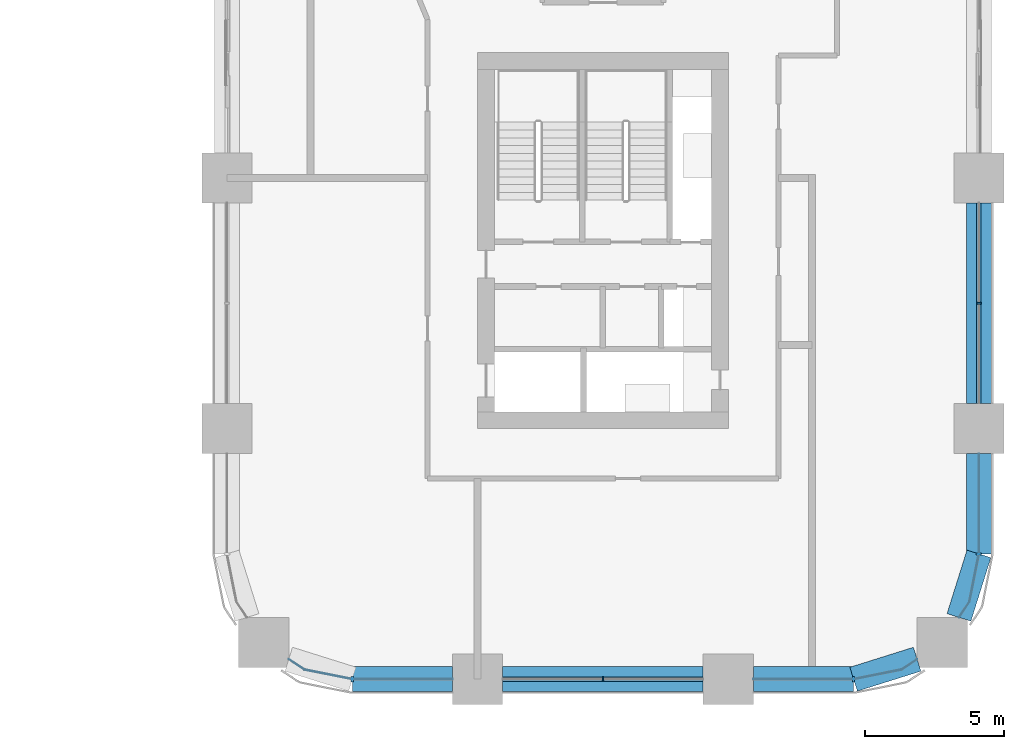
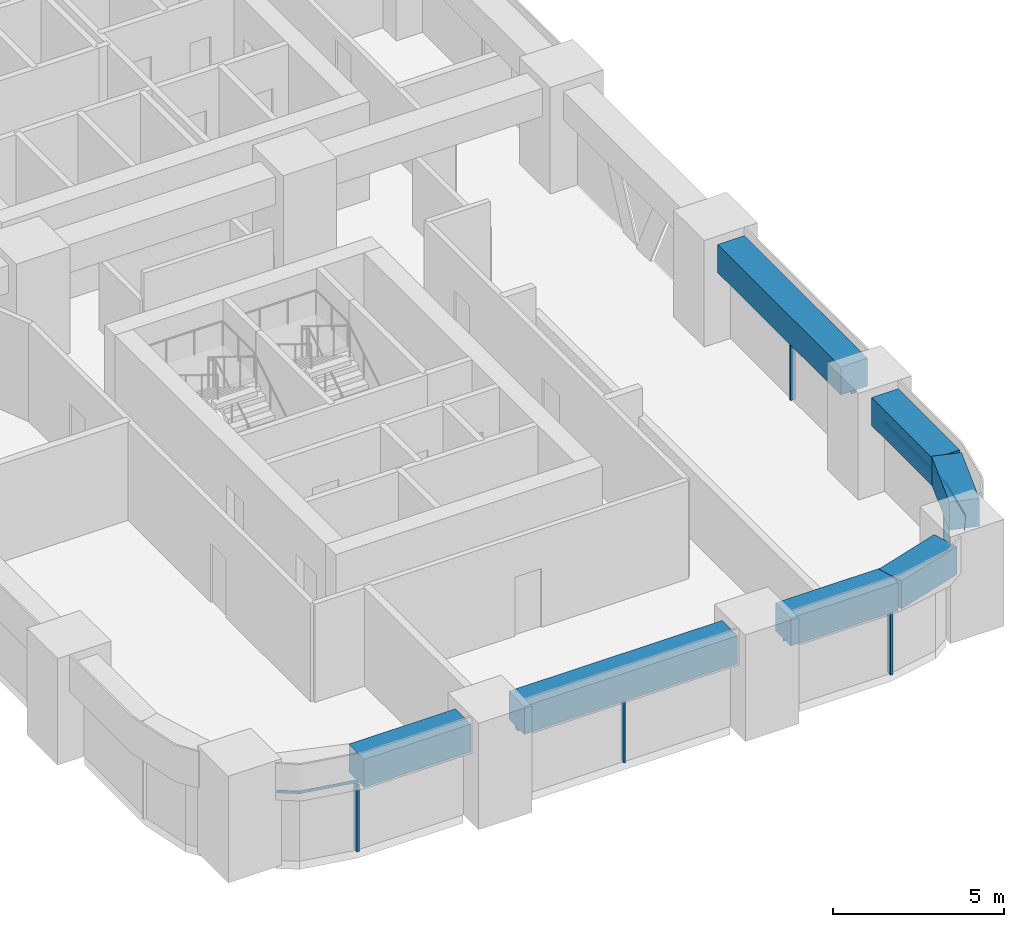
# One storey, part 4 of 18: 10 members, 7 beams, 5 elements without a shape of their own.
"""IFC4 building model written with IfcOpenShell, lengths in metres."""

from ifc_helpers import new_model, si_unit, direction, frame, origin, origin_2d, place, context, subcontext, project, spatial, polyline, rectangle, outline, extrude, material, material_profile, profile_set, type_object, element, aggregate, save


model = new_model("IFC4")

# Units and contexts
model_context = context("Model", 3, precision=1e-05, world=origin(), true_north=direction((0.0, 1.0)))
body_context = subcontext(model_context, "Body", "Model", "MODEL_VIEW")
ifc_project = project(units=[si_unit("LENGTHUNIT", "METRE"), si_unit("AREAUNIT", "SQUARE_METRE"), si_unit("VOLUMEUNIT", "CUBIC_METRE"), si_unit("PLANEANGLEUNIT", "RADIAN"), si_unit("MASSUNIT", "GRAM", prefix="KILO")], contexts=[model_context])

# Site, building, storey
site_placement = place(None, origin())
site = spatial("IfcSite", under=ifc_project, at=site_placement, CompositionType="ELEMENT")
building_placement = place(site_placement, origin())
building = spatial("IfcBuilding", under=site, at=building_placement, Name="Tessera Arch", CompositionType="ELEMENT")
storey_placement = place(building_placement, frame((0.0, 0.0, 115.800048828125)))
storey = spatial("IfcBuildingStorey", under=building, at=storey_placement, Name="L27", CompositionType="ELEMENT", Elevation=115.800048828125)

# Curtain wall, member
ifc_material_1 = material(Name="CW1 curtain wall")
curtain_wall_type_1 = type_object("IfcCurtainWallType", Name="CW1 curtain wall", PredefinedType="NOTDEFINED", material=ifc_material_1)
curtain_wall_1_placement = place(storey_placement, origin())
curtain_wall_1 = element("IfcCurtainWall", 1, at=curtain_wall_1_placement, inside=storey, type_object=curtain_wall_type_1, Name="CW1 curtain wall S0.27/1 L27", PredefinedType="NOTDEFINED")
ifc_material_2 = material(Name="Anodised aluminium pale metal", Category="aluminium")
ifc_material_profile_1 = material_profile(ifc_material_2, rectangle(XDim=0.159912109375, YDim=0.06005859375, at=origin_2d()), Name="AL 60x160")
ifc_profile_set_1 = profile_set([ifc_material_profile_1], Name="Anodised aluminium pale metal")
member_type_1 = type_object("IfcMemberType", Name="CW1 mullion", PredefinedType="MULLION", material=ifc_profile_set_1)
member_1_placement = place(storey_placement, frame((40.5, 0.0, 0.0), z_axis=(0.0, 0.0, 1.0), x_axis=(0.0, 1.0, 0.0)))
member_1 = element("IfcMember", 2, at=member_1_placement, type_object=member_type_1, Name="CW1 mullion S0.27/1 1", PredefinedType="MULLION", context=body_context, shape_type="SweptSolid", body=[
    extrude(rectangle(XDim=0.159912109375, YDim=0.06005859375, at=origin_2d()), origin(), (0.0, 0.0, 1.0), 2.39990234375),
])

curtain_wall_2_placement = place(storey_placement, origin())
curtain_wall_2 = element("IfcCurtainWall", 3, at=curtain_wall_2_placement, inside=storey, type_object=curtain_wall_type_1, Name="CW1 curtain wall E54.0/1 L27", PredefinedType="NOTDEFINED")
member_2_placement = place(storey_placement, frame((54.0, 13.5, 0.0), z_axis=(0.0, 0.0, 1.0), x_axis=(-1.0, 0.0, 0.0)))
member_2 = element("IfcMember", 4, at=member_2_placement, type_object=member_type_1, Name="CW1 mullion E54.0/1 1", PredefinedType="MULLION", context=body_context, shape_type="SweptSolid", body=[
    extrude(rectangle(XDim=0.159912109375, YDim=0.06005859375, at=origin_2d()), origin(), (0.0, 0.0, 1.0), 2.39990234375),
])

# Member
ifc_material_3 = material(Name="Anodised aluminium pale metal", Category="aluminium")
ifc_material_profile_2 = material_profile(ifc_material_3, rectangle(XDim=0.159912109375, YDim=0.10009765625, at=origin_2d()), Name="AL 160x100")
ifc_profile_set_2 = profile_set([ifc_material_profile_2], Name="Anodised aluminium pale metal")
member_type_2 = type_object("IfcMemberType", Name="CW1 transom", PredefinedType="USERDEFINED", material=ifc_profile_set_2)
member_3_placement = place(storey_placement, frame((36.89990234375, 0.0, 2.449951171875), z_axis=(1.0, 0.0, 0.0), x_axis=(0.0, 1.0, 0.0)))
member_3 = element("IfcMember", 5, at=member_3_placement, type_object=member_type_2, Name="CW1 transom S0.27/1 1.1", ObjectType="TRANSOM", PredefinedType="USERDEFINED", context=body_context, shape_type="SweptSolid", body=[
    extrude(rectangle(XDim=0.159912109375, YDim=0.10009765625, at=origin_2d()), origin(), (0.0, 0.0, 1.0), 7.2001953125),
])

aggregate(curtain_wall_1, [member_1, member_3])

member_4_placement = place(storey_placement, frame((54.0, 9.89990234375, 2.449951171875), z_axis=(0.0, 1.0, 0.0), x_axis=(-1.0, 0.0, 0.0)))
member_4 = element("IfcMember", 6, at=member_4_placement, type_object=member_type_2, Name="CW1 transom E54.0/1 1.1", ObjectType="TRANSOM", PredefinedType="USERDEFINED", context=body_context, shape_type="SweptSolid", body=[
    extrude(rectangle(XDim=0.159912109375, YDim=0.10009765625, at=origin_2d()), origin(), (0.0, 0.0, 1.0), 7.2001953125),
])

aggregate(curtain_wall_2, [member_2, member_4])

# Curtain wall, member
ifc_material_4 = material(Name="CW2 curtain wall")
curtain_wall_type_2 = type_object("IfcCurtainWallType", Name="CW2 curtain wall", PredefinedType="NOTDEFINED", material=ifc_material_4)
curtain_wall_3_placement = place(storey_placement, origin())
curtain_wall_3 = element("IfcCurtainWall", 7, at=curtain_wall_3_placement, inside=storey, type_object=curtain_wall_type_2, Name="CW2 curtain wall S0.27/0 L27", PredefinedType="NOTDEFINED")
ifc_material_5 = material(Name="Anodised aluminium pale metal", Category="aluminium")
ifc_material_profile_3 = material_profile(ifc_material_5, rectangle(XDim=0.199951171875, YDim=0.080078125, at=origin_2d()), Name="AL 80x200")
ifc_profile_set_3 = profile_set([ifc_material_profile_3], Name="Anodised aluminium pale metal")
member_type_3 = type_object("IfcMemberType", Name="CW2 mullion", PredefinedType="MULLION", material=ifc_profile_set_3)
member_5_placement = place(storey_placement, frame((31.5, 0.0, 0.0), z_axis=(0.0, 0.0, 1.0), x_axis=(0.0, 1.0, 0.0)))
member_5 = element("IfcMember", 8, at=member_5_placement, type_object=member_type_3, Name="CW2 mullion S0.27/0 1", PredefinedType="MULLION", context=body_context, shape_type="SweptSolid", body=[
    extrude(rectangle(XDim=0.199951171875, YDim=0.080078125, at=origin_2d()), origin(), (0.0, 0.0, 1.0), 2.39990234375),
])

curtain_wall_4_placement = place(storey_placement, origin())
curtain_wall_4 = element("IfcCurtainWall", 9, at=curtain_wall_4_placement, inside=storey, type_object=curtain_wall_type_2, Name="CW2 curtain wall S0.27/2 L27", PredefinedType="NOTDEFINED")
member_6_placement = place(storey_placement, frame((49.5, 0.0, 0.0), z_axis=(0.0, 0.0, 1.0), x_axis=(0.0, 1.0, 0.0)))
member_6 = element("IfcMember", 10, at=member_6_placement, type_object=member_type_3, Name="CW2 mullion S0.27/2 1", PredefinedType="MULLION", context=body_context, shape_type="SweptSolid", body=[
    extrude(rectangle(XDim=0.199951171875, YDim=0.080078125, at=origin_2d()), origin(), (0.0, 0.0, 1.0), 2.39990234375),
])

curtain_wall_5_placement = place(storey_placement, origin())
curtain_wall_5 = element("IfcCurtainWall", 11, at=curtain_wall_5_placement, inside=storey, type_object=curtain_wall_type_2, Name="CW2 curtain wall E54.0/0 L27", PredefinedType="NOTDEFINED")
member_7_placement = place(storey_placement, frame((54.0, 4.5, 0.0), z_axis=(0.0, 0.0, 1.0), x_axis=(-1.0, 0.0, 0.0)))
member_7 = element("IfcMember", 12, at=member_7_placement, type_object=member_type_3, Name="CW2 mullion E54.0/0 1", PredefinedType="MULLION", context=body_context, shape_type="SweptSolid", body=[
    extrude(rectangle(XDim=0.199951171875, YDim=0.080078125, at=origin_2d()), origin(), (0.0, 0.0, 1.0), 2.39990234375),
])

# Member
ifc_material_6 = material(Name="Anodised aluminium pale metal", Category="aluminium")
ifc_material_profile_4 = material_profile(ifc_material_6, rectangle(XDim=0.199951171875, YDim=0.10009765625, at=origin_2d()), Name="AL 200x100")
ifc_profile_set_4 = profile_set([ifc_material_profile_4], Name="Anodised aluminium pale metal")
member_type_4 = type_object("IfcMemberType", Name="CW2 transom", PredefinedType="USERDEFINED", material=ifc_profile_set_4)
member_8_placement = place(storey_placement, frame((0.0, 0.0, 2.39990234375)))
member_8 = element("IfcMember", 13, at=member_8_placement, type_object=member_type_4, Name="CW2 transom S0.27/0 1", ObjectType="TRANSOM", PredefinedType="USERDEFINED", context=body_context, shape_type="SweptSolid", body=[
    extrude(outline(polyline([(29.78173828125, 0.351806640625), (29.2236328125, 0.72509765625), (29.21240234375, 0.70849609375), (29.77392578125, 0.3330078125), (31.4990234375, -0.010009765625), (35.10009765625, -0.010009765625), (35.10009765625, 0.010009765625), (31.5009765625, 0.010009765625), (29.78173828125, 0.351806640625)])), origin(), (0.0, 0.0, 1.0), 0.10009765625),
])

aggregate(curtain_wall_3, [member_5, member_8])

member_9_placement = place(storey_placement, frame((0.0, 0.0, 2.39990234375)))
member_9 = element("IfcMember", 14, at=member_9_placement, type_object=member_type_4, Name="CW2 transom S0.27/2 1", ObjectType="TRANSOM", PredefinedType="USERDEFINED", context=body_context, shape_type="SweptSolid", body=[
    extrude(outline(polyline([(49.4990234375, 0.010009765625), (45.89990234375, 0.010009765625), (45.89990234375, -0.010009765625), (49.5009765625, -0.010009765625), (51.22607421875, 0.3330078125), (51.78759765625, 0.70849609375), (51.7763671875, 0.72509765625), (51.21826171875, 0.351806640625), (49.4990234375, 0.010009765625)])), origin(), (0.0, 0.0, 1.0), 0.10009765625),
])

aggregate(curtain_wall_4, [member_6, member_9])

member_10_placement = place(storey_placement, frame((0.0, 0.0, 2.39990234375)))
member_10 = element("IfcMember", 15, at=member_10_placement, type_object=member_type_4, Name="CW2 transom E54.0/0 1", ObjectType="TRANSOM", PredefinedType="USERDEFINED", context=body_context, shape_type="SweptSolid", body=[
    extrude(outline(polyline([(53.648193359375, 2.78173828125), (53.27490234375, 2.2236328125), (53.29150390625, 2.21240234375), (53.6669921875, 2.77392578125), (54.010009765625, 4.4990234375), (54.010009765625, 8.10009765625), (53.989990234375, 8.10009765625), (53.989990234375, 4.5009765625), (53.648193359375, 2.78173828125)])), origin(), (0.0, 0.0, 1.0), 0.10009765625),
])

aggregate(curtain_wall_5, [member_7, member_10])

# Beams
ifc_material_7 = material(Name="Concrete C80/95", Category="concrete")
ifc_material_profile_5 = material_profile(ifc_material_7, rectangle(XDim=0.89990234375, YDim=1.0, at=origin_2d()), Name="RC spandrel beam 900 x 1000 Concrete C80/95")
ifc_profile_set_5 = profile_set([ifc_material_profile_5], Name="Concrete C80/95")
beam_type = type_object("IfcBeamType", Name="RC spandrel beam 900 x 1000 Concrete C80/95", PredefinedType="BEAM", material=ifc_profile_set_5)
beam_1_placement = place(storey_placement, frame((31.5, 0.0, 3.0), z_axis=(1.0, 0.0, 0.0), x_axis=(0.0, 1.0, 0.0)))
element("IfcBeam", 16, at=beam_1_placement, inside=storey, type_object=beam_type, Name="Spandrel beam L27 S0.27/0.2", PredefinedType="BEAM", context=body_context, shape_type="SweptSolid", body=[
    extrude(rectangle(XDim=0.89990234375, YDim=1.0, at=origin_2d()), origin(), (0.0, 0.0, 1.0), 3.60009765625),
])
beam_2_placement = place(storey_placement, frame((36.89990234375, 0.0, 3.0), z_axis=(1.0, 0.0, 0.0), x_axis=(0.0, 1.0, 0.0)))
element("IfcBeam", 17, at=beam_2_placement, inside=storey, type_object=beam_type, Name="Spandrel beam L27 S0.27/1", PredefinedType="BEAM", context=body_context, shape_type="SweptSolid", body=[
    extrude(rectangle(XDim=0.89990234375, YDim=1.0, at=origin_2d()), origin(), (0.0, 0.0, 1.0), 7.2001953125),
])
beam_3_placement = place(storey_placement, frame((45.89990234375, 0.0, 3.0), z_axis=(1.0, 0.0, 0.0), x_axis=(0.0, 1.0, 0.0)))
element("IfcBeam", 18, at=beam_3_placement, inside=storey, type_object=beam_type, Name="Spandrel beam L27 S0.27/2.1", PredefinedType="BEAM", context=body_context, shape_type="SweptSolid", body=[
    extrude(rectangle(XDim=0.89990234375, YDim=1.0, at=origin_2d()), origin(), (0.0, 0.0, 1.0), 3.60009765625),
])
for number, where, z_axis, x_axis, name in (
    (19, (49.5, 0.0, 3.0), (0.954041251279, 0.299675309057, 0.0), (-0.299675309057, 0.954041251279, 0.0), "Spandrel beam L27 S0.27/2.2"),
    (20, (53.283203125, 2.218017578125, 3.0), (0.299675309057, 0.954041251279, 0.0), (-0.954041251279, 0.299675309057, 0.0), "Spandrel beam L27 E54.0/0.1"),
):
    element("IfcBeam", number, at=place(storey_placement, frame(where, z_axis=z_axis, x_axis=x_axis)), inside=storey, type_object=beam_type, Name=name, PredefinedType="BEAM", context=body_context, shape_type="SweptSolid", body=[
        extrude(rectangle(XDim=0.89990234375, YDim=1.0, at=origin_2d()), origin(), (0.0, 0.0, 1.0), 2.391845703125),
    ])
beam_4_placement = place(storey_placement, frame((54.0, 4.5, 3.0), z_axis=(0.0, 1.0, 0.0), x_axis=(-1.0, 0.0, 0.0)))
element("IfcBeam", 21, at=beam_4_placement, inside=storey, type_object=beam_type, Name="Spandrel beam L27 E54.0/0.2", PredefinedType="BEAM", context=body_context, shape_type="SweptSolid", body=[
    extrude(rectangle(XDim=0.89990234375, YDim=1.0, at=origin_2d()), origin(), (0.0, 0.0, 1.0), 3.60009765625),
])
beam_5_placement = place(storey_placement, frame((54.0, 9.89990234375, 3.0), z_axis=(0.0, 1.0, 0.0), x_axis=(-1.0, 0.0, 0.0)))
element("IfcBeam", 22, at=beam_5_placement, inside=storey, type_object=beam_type, Name="Spandrel beam L27 E54.0/1", PredefinedType="BEAM", context=body_context, shape_type="SweptSolid", body=[
    extrude(rectangle(XDim=0.89990234375, YDim=1.0, at=origin_2d()), origin(), (0.0, 0.0, 1.0), 7.2001953125),
])

save(model, "model.ifc")
